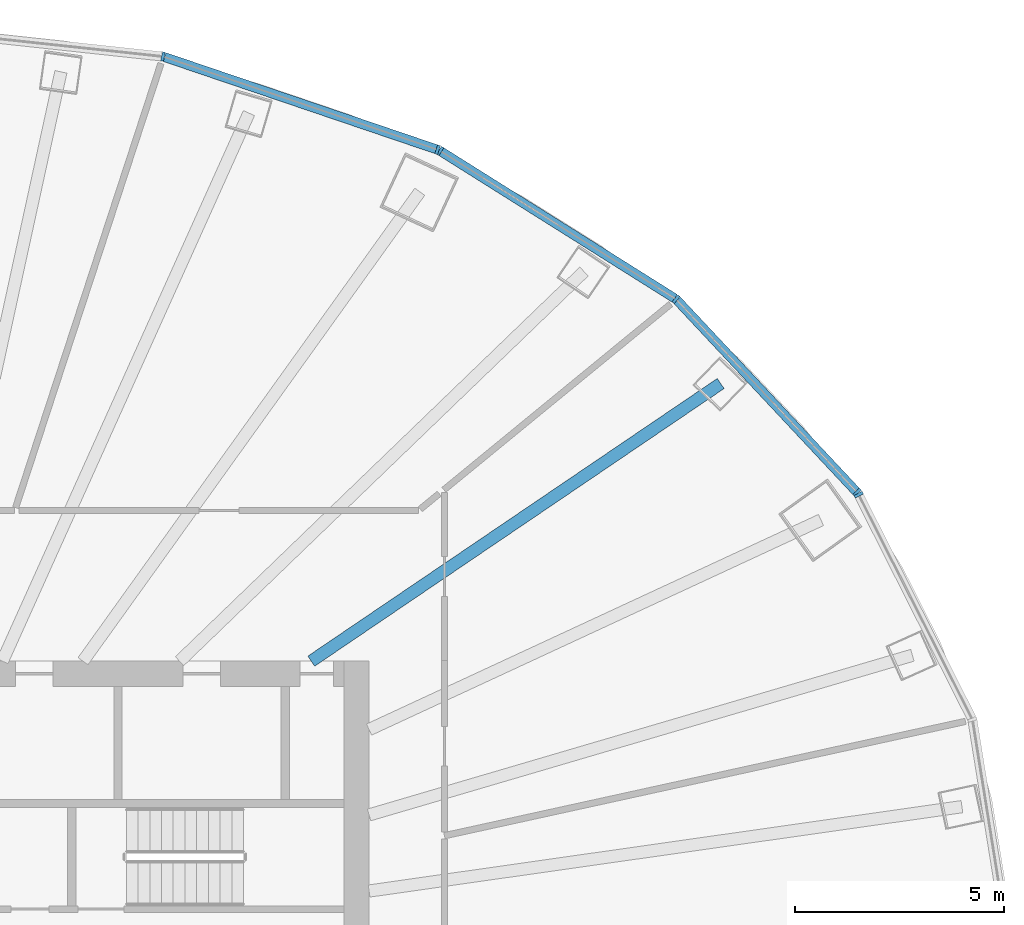
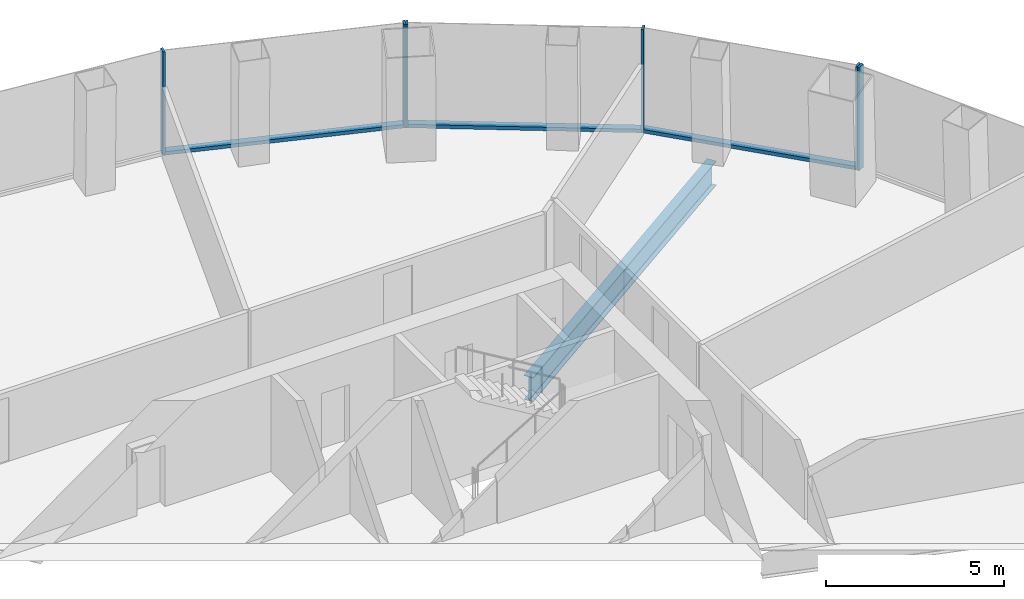
# One storey, part 6 of 11: 9 members, 1 beam, 3 elements without a shape of their own.
"""IFC4 building model written with IfcOpenShell, lengths in metres."""

from ifc_helpers import new_model, si_unit, direction, frame, origin, origin_2d, place, context, subcontext, project, spatial, rectangle, i_section, extrude, material, layer, layer_set, material_profile, profile_set, type_object, element, aggregate, save


model = new_model("IFC4")

# Units and contexts
model_context = context("Model", 3, precision=1e-05, world=origin(), true_north=direction((0.0, 1.0)))
body_context = subcontext(model_context, "Body", "Model", "MODEL_VIEW")
ifc_project = project(units=[si_unit("LENGTHUNIT", "METRE"), si_unit("AREAUNIT", "SQUARE_METRE"), si_unit("VOLUMEUNIT", "CUBIC_METRE"), si_unit("PLANEANGLEUNIT", "RADIAN"), si_unit("MASSUNIT", "GRAM", prefix="KILO")], contexts=[model_context])

# Site, building, storey
site_placement = place(None, origin())
site = spatial("IfcSite", under=ifc_project, at=site_placement, CompositionType="ELEMENT")
building_placement = place(site_placement, origin())
building = spatial("IfcBuilding", under=site, at=building_placement, Name="Siaravel Broadcast Tower", CompositionType="ELEMENT")
storey_placement = place(building_placement, frame((0.0, 0.0, 63.0)))
storey = spatial("IfcBuildingStorey", under=building, at=storey_placement, Name="L14", CompositionType="ELEMENT", Elevation=63.0)

# Beam
ifc_material_1 = material(Name="Steel S355", Category="steel")
ifc_material_profile_1 = material_profile(ifc_material_1, i_section(OverallWidth=0.291748046875, OverallDepth=0.8349609375, WebThickness=0.013916015625, FlangeThickness=0.018798828125, FilletRadius=0.017822265625, at=origin_2d()))
ifc_profile_set_1 = profile_set([ifc_material_profile_1], Name="Steel S355")
beam_type = type_object("IfcBeamType", Name="BM-UB 838x292x176", PredefinedType="BEAM", material=ifc_profile_set_1)
beam_placement = place(storey_placement, frame((20.401611328125, 13.833984375, -0.5673828125), z_axis=(-0.82766183, -0.561227133, 0.0), x_axis=(0.561227133, -0.82766183, 0.0)))
element("IfcBeam", 1, at=beam_placement, inside=storey, type_object=beam_type, Name="Radial beam RB05", PredefinedType="BEAM", context=body_context, shape_type="SweptSolid", body=[
    extrude(i_section(OverallWidth=0.291748046875, OverallDepth=0.8349609375, WebThickness=0.013916015625, FlangeThickness=0.018798828125, FilletRadius=0.017822265625, at=origin_2d()), origin(), (0.0, 0.0, 1.0), 11.820556640625),
])

# Curtain wall, member
ifc_material_2 = material(Name="Aluminium 6063-T6", Category="aluminium")
ifc_layer = layer(ifc_material_2, 0.219970703125)
ifc_layer_set = layer_set([ifc_layer], Name="Aluminium 6063-T6")
curtain_wall_type = type_object("IfcCurtainWallType", Name="Unitised curtain wall, zone 1", PredefinedType="NOTDEFINED", material=ifc_layer_set)
curtain_wall_1_placement = place(storey_placement, origin())
curtain_wall_1 = element("IfcCurtainWall", 2, at=curtain_wall_1_placement, inside=storey, type_object=curtain_wall_type, Name="L14 Unitised curtain wall, zone 1 01", PredefinedType="NOTDEFINED")
ifc_material_profile_2 = material_profile(ifc_material_2, rectangle(XDim=0.219970703125, YDim=0.070068359375, at=origin_2d()))
ifc_profile_set_2 = profile_set([ifc_material_profile_2], Name="Aluminium 6063-T6")
member_type_1 = type_object("IfcMemberType", Name="CW-Z1 mullion", PredefinedType="MULLION", material=ifc_profile_set_2)
member_1_placement = place(storey_placement, frame((23.697265625, 11.177490234375, 0.0), z_axis=(0.0, 0.0, 1.0), x_axis=(-0.892391293, -0.451262428, 0.0)))
member_1 = element("IfcMember", 3, at=member_1_placement, type_object=member_type_1, Name="CW-Z1 mullion 3", PredefinedType="MULLION", context=body_context, shape_type="SweptSolid", body=[
    extrude(rectangle(XDim=0.219970703125, YDim=0.070068359375, at=origin_2d()), origin(), (0.0, 0.0, 1.0), 3.550048828125),
])
aggregate(curtain_wall_1, [member_1])

# Curtain wall, members
curtain_wall_2_placement = place(storey_placement, origin())
curtain_wall_2 = element("IfcCurtainWall", 4, at=curtain_wall_2_placement, inside=storey, type_object=curtain_wall_type, Name="L14 Unitised curtain wall, zone 1 02", PredefinedType="NOTDEFINED")
member_2_placement = place(storey_placement, frame((23.657470703125, 11.234375, 0.0), z_axis=(0.0, 0.0, 1.0), x_axis=(-0.729803931, -0.683656509, 0.0)))
member_2 = element("IfcMember", 5, at=member_2_placement, type_object=member_type_1, Name="CW-Z1 mullion 1", PredefinedType="MULLION", context=body_context, shape_type="SweptSolid", body=[
    extrude(rectangle(XDim=0.219970703125, YDim=0.070068359375, at=origin_2d()), origin(), (0.0, 0.0, 1.0), 3.550048828125),
])
member_3_placement = place(storey_placement, frame((19.333984375, 15.849609375, 0.0), z_axis=(0.0, 0.0, 1.0), x_axis=(-0.636217305, -0.77150991, 0.0)))
member_3 = element("IfcMember", 6, at=member_3_placement, type_object=member_type_1, Name="CW-Z1 mullion 2", PredefinedType="MULLION", context=body_context, shape_type="SweptSolid", body=[
    extrude(rectangle(XDim=0.219970703125, YDim=0.070068359375, at=origin_2d()), origin(), (0.0, 0.0, 1.0), 3.550048828125),
])
member_4_placement = place(storey_placement, frame((13.699951171875, 19.390869140625, 0.0), z_axis=(0.0, 0.0, 1.0), x_axis=(-0.532147932, -0.846651392, 0.0)))
member_4 = element("IfcMember", 7, at=member_4_placement, type_object=member_type_1, Name="CW-Z1 mullion 3", PredefinedType="MULLION", context=body_context, shape_type="SweptSolid", body=[
    extrude(rectangle(XDim=0.219970703125, YDim=0.070068359375, at=origin_2d()), origin(), (0.0, 0.0, 1.0), 3.550048828125),
])

curtain_wall_3_placement = place(storey_placement, origin())
curtain_wall_3 = element("IfcCurtainWall", 8, at=curtain_wall_3_placement, inside=storey, type_object=curtain_wall_type, Name="L14 Unitised curtain wall, zone 1 03", PredefinedType="NOTDEFINED")
member_5_placement = place(storey_placement, frame((13.63720703125, 19.420654296875, 0.0), z_axis=(0.0, 0.0, 1.0), x_axis=(-0.321299732, -0.946977551, 0.0)))
member_5 = element("IfcMember", 9, at=member_5_placement, type_object=member_type_1, Name="CW-Z1 mullion 1", PredefinedType="MULLION", context=body_context, shape_type="SweptSolid", body=[
    extrude(rectangle(XDim=0.219970703125, YDim=0.070068359375, at=origin_2d()), origin(), (0.0, 0.0, 1.0), 3.550048828125),
])
member_6_placement = place(storey_placement, frame((7.075927734375, 21.646728515625, 0.0), z_axis=(0.0, 0.0, 1.0), x_axis=(-0.215557455, -0.976491159, 0.0)))
member_6 = element("IfcMember", 10, at=member_6_placement, type_object=member_type_1, Name="CW-Z1 mullion 2", PredefinedType="MULLION", context=body_context, shape_type="SweptSolid", body=[
    extrude(rectangle(XDim=0.219970703125, YDim=0.070068359375, at=origin_2d()), origin(), (0.0, 0.0, 1.0), 3.550048828125),
])

# Member
ifc_material_profile_3 = material_profile(ifc_material_2, rectangle(XDim=0.219970703125, YDim=0.1201171875, at=origin_2d()))
ifc_profile_set_3 = profile_set([ifc_material_profile_3], Name="Aluminium 6063-T6")
member_type_2 = type_object("IfcMemberType", Name="CW-Z1 transom", PredefinedType="USERDEFINED", material=ifc_profile_set_3)
member_7_placement = place(storey_placement, frame((23.633544921875, 11.259765625, 0.06005859375), z_axis=(-0.683638503, 0.729820798, 0.0), x_axis=(-0.729820798, -0.683638503, 0.0)))
member_7 = element("IfcMember", 11, at=member_7_placement, type_object=member_type_2, Name="CW-Z1 transom 1", ObjectType="TRANSOM", PredefinedType="USERDEFINED", context=body_context, shape_type="SweptSolid", body=[
    extrude(rectangle(XDim=0.219970703125, YDim=0.1201171875, at=origin_2d()), origin(), (0.0, 0.0, 1.0), 6.25390625),
])

member_8_placement = place(storey_placement, frame((19.304443359375, 15.8681640625, 0.06005859375), z_axis=(-0.846643708, 0.532160155, 0.0), x_axis=(-0.532160155, -0.846643708, 0.0)))
member_8 = element("IfcMember", 12, at=member_8_placement, type_object=member_type_2, Name="CW-Z1 transom 2", ObjectType="TRANSOM", PredefinedType="USERDEFINED", context=body_context, shape_type="SweptSolid", body=[
    extrude(rectangle(XDim=0.219970703125, YDim=0.1201171875, at=origin_2d()), origin(), (0.0, 0.0, 1.0), 6.584716796875),
])

aggregate(curtain_wall_2, [member_2, member_3, member_4, member_7, member_8])

member_9_placement = place(storey_placement, frame((13.60400390625, 19.431884765625, 0.06005859375), z_axis=(-0.946978894, 0.321295775, 0.0), x_axis=(-0.321295775, -0.946978894, 0.0)))
member_9 = element("IfcMember", 13, at=member_9_placement, type_object=member_type_2, Name="CW-Z1 transom 1", ObjectType="TRANSOM", PredefinedType="USERDEFINED", context=body_context, shape_type="SweptSolid", body=[
    extrude(rectangle(XDim=0.219970703125, YDim=0.1201171875, at=origin_2d()), origin(), (0.0, 0.0, 1.0), 6.8583984375),
])

aggregate(curtain_wall_3, [member_5, member_6, member_9])

save(model, "model.ifc")
